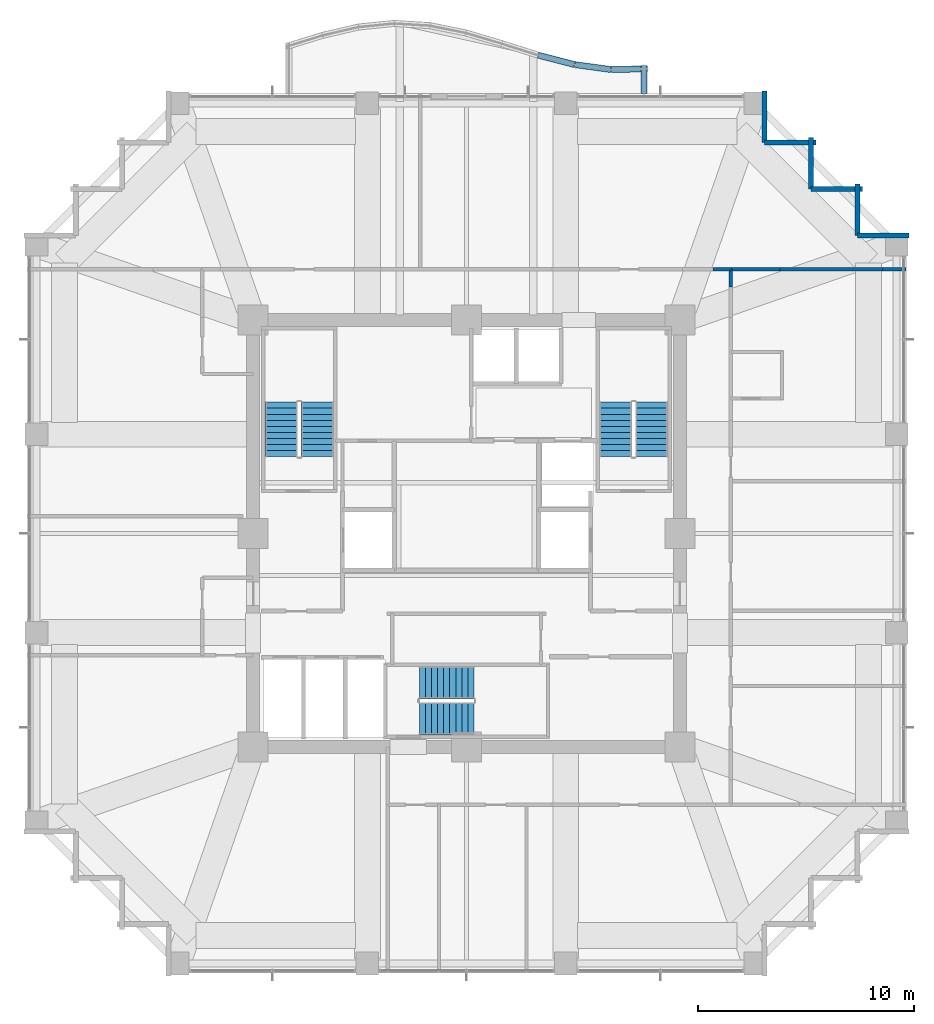
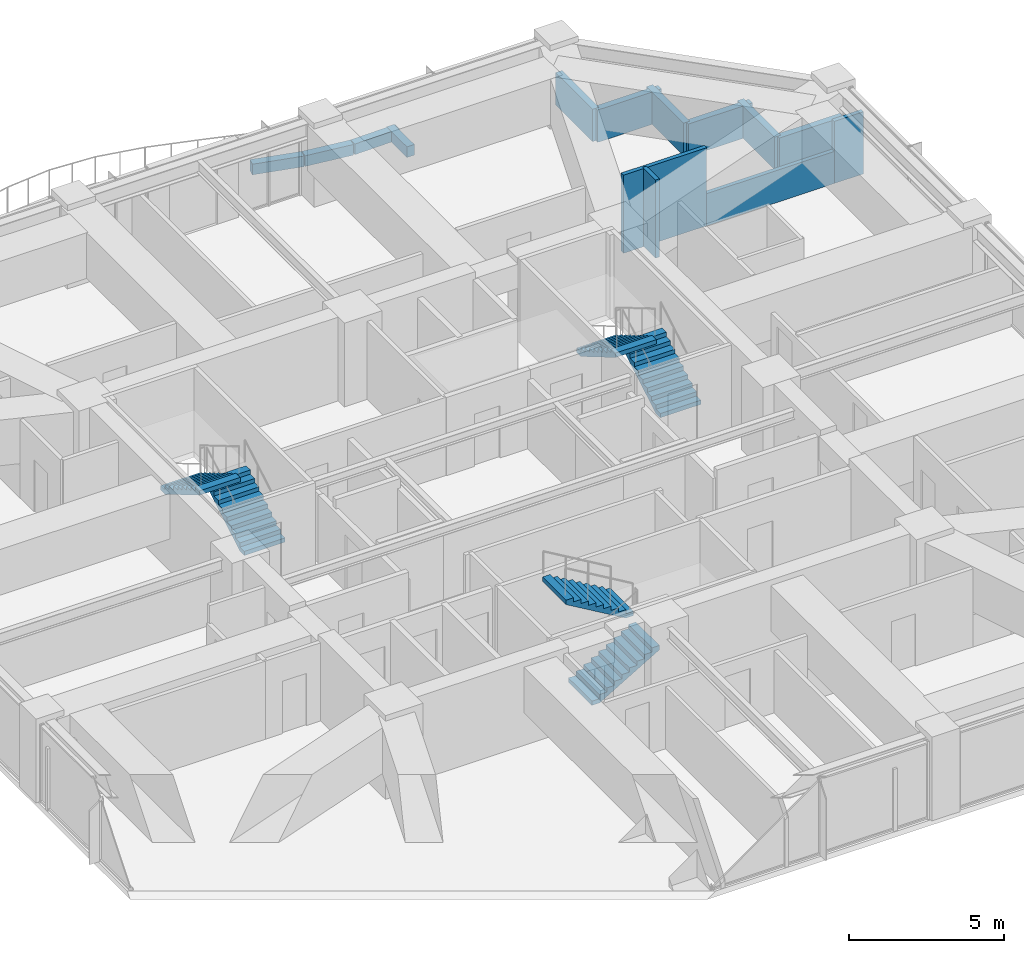
# One storey, part 33 of 34: 15 walls, 6 stair flights, 3 elements without a shape of their own.
"""IFC4 building model written with IfcOpenShell, lengths in metres."""

from ifc_helpers import new_model, si_unit, direction, frame, frame_2d, origin, place, context, subcontext, project, spatial, polyline, rectangle, outline, extrude, material, layer, layer_set, type_object, element, aggregate, save


model = new_model("IFC4")

# Units and contexts
model_context = context("Model", 3, precision=1e-05, world=origin(), true_north=direction((0.0, 1.0)))
body_context = subcontext(model_context, "Body", "Model", "MODEL_VIEW")
ifc_project = project(units=[si_unit("LENGTHUNIT", "METRE"), si_unit("AREAUNIT", "SQUARE_METRE"), si_unit("VOLUMEUNIT", "CUBIC_METRE"), si_unit("PLANEANGLEUNIT", "RADIAN"), si_unit("MASSUNIT", "GRAM", prefix="KILO")], contexts=[model_context])

# Site, building, storey
site_placement = place(None, origin())
site = spatial("IfcSite", under=ifc_project, at=site_placement, CompositionType="ELEMENT")
building_placement = place(site_placement, origin())
building = spatial("IfcBuilding", under=site, at=building_placement, Name="Kolvaren Belvedere", CompositionType="ELEMENT")
storey_placement = place(building_placement, frame((0.0, 0.0, 105.199951171875)))
storey = spatial("IfcBuildingStorey", under=building, at=storey_placement, Name="L30", CompositionType="ELEMENT", Elevation=105.199951171875)

# Walls
ifc_material_1 = material(Name="Gypsum fire-rated partition assembly", Category="gypsum")
ifc_layer_1 = layer(ifc_material_1, 0.14990234375)
ifc_layer_set_1 = layer_set([ifc_layer_1], Name="Gypsum fire-rated partition assembly")
wall_type_1 = type_object("IfcWallType", Name="WL-CORR-150", PredefinedType="PARTITIONING", material=ifc_layer_set_1)
for number, where, z_axis, x_axis, name in (
    (1, (11.43017578125, 12.260009765625, 0.0), (0.0, 0.0, 1.0), (1.0, 0.0, 0.0), "L30 North Corridor Wall"),
    (2, (12.260009765625, 11.43017578125, 0.0), (0.0, 0.0, 1.0), (0.0, 1.0, 0.0), "L30 East Corridor Wall"),
):
    element("IfcWall", number, at=place(storey_placement, frame(where, z_axis=z_axis, x_axis=x_axis)), inside=storey, type_object=wall_type_1, Name=name, PredefinedType="PARTITIONING", context=body_context, shape_type="SweptSolid", body=[
        extrude(rectangle(XDim=0.829833984375, YDim=0.14990234375, at=frame_2d((0.4150390625, 0.0))), origin(), (0.0, 0.0, 1.0), 3.080078125),
    ])
ifc_material_2 = material(Name="Insulated pale-metal facade wall assembly", Category="aluminium")
ifc_layer_2 = layer(ifc_material_2, 0.239990234375)
ifc_layer_set_2 = layer_set([ifc_layer_2], Name="Insulated pale-metal facade wall assembly")
wall_type_2 = type_object("IfcWallType", Name="WL-EXT-240", PredefinedType="STANDARD", material=ifc_layer_set_2)
wall_1_placement = place(storey_placement, frame((18.1298828125, 13.830078125, 0.0), z_axis=(0.0, 0.0, 1.0), x_axis=(1.0, 0.0, 0.0)))
element("IfcWall", 3, at=wall_1_placement, inside=storey, type_object=wall_type_2, Name="L30 Serrated Corner Facade Wall 9", PredefinedType="STANDARD", context=body_context, shape_type="SweptSolid", body=[
    extrude(rectangle(XDim=2.39013671875, YDim=0.239990234375, at=frame_2d((1.195068359375, 0.0))), origin(), (0.0, 0.0, 1.0), 1.275146484375),
])
wall_2_placement = place(storey_placement, frame((18.1298828125, 16.219970703125, 0.0), z_axis=(0.0, 0.0, 1.0), x_axis=(0.0, -1.0, 0.0)))
element("IfcWall", 4, at=wall_2_placement, inside=storey, type_object=wall_type_2, Name="L30 Serrated Corner Facade Wall 10", PredefinedType="STANDARD", context=body_context, shape_type="SweptSolid", body=[
    extrude(rectangle(XDim=2.389892578125, YDim=0.239990234375, at=frame_2d((1.19482421875, 0.0))), origin(), (0.0, 0.0, 1.0), 1.275146484375),
])
for number, where, z_axis, x_axis, name in (
    (5, (15.97998046875, 15.97998046875, 0.0), (0.0, 0.0, 1.0), (1.0, 0.0, 0.0), "L30 Serrated Corner Facade Wall 11"),
    (6, (15.97998046875, 18.3701171875, 0.0), (0.0, 0.0, 1.0), (0.0, -1.0, 0.0), "L30 Serrated Corner Facade Wall 12"),
):
    element("IfcWall", number, at=place(storey_placement, frame(where, z_axis=z_axis, x_axis=x_axis)), inside=storey, type_object=wall_type_2, Name=name, PredefinedType="STANDARD", context=body_context, shape_type="SweptSolid", body=[
        extrude(rectangle(XDim=2.39013671875, YDim=0.239990234375, at=frame_2d((1.195068359375, 0.0))), origin(), (0.0, 0.0, 1.0), 1.275146484375),
    ])
wall_3_placement = place(storey_placement, frame((13.830078125, 18.1298828125, 0.0), z_axis=(0.0, 0.0, 1.0), x_axis=(1.0, 0.0, 0.0)))
element("IfcWall", 7, at=wall_3_placement, inside=storey, type_object=wall_type_2, Name="L30 Serrated Corner Facade Wall 13", PredefinedType="STANDARD", context=body_context, shape_type="SweptSolid", body=[
    extrude(rectangle(XDim=2.389892578125, YDim=0.239990234375, at=frame_2d((1.19482421875, 0.0))), origin(), (0.0, 0.0, 1.0), 1.275146484375),
])
wall_4_placement = place(storey_placement, frame((13.830078125, 20.52001953125, 0.0), z_axis=(0.0, 0.0, 1.0), x_axis=(0.0, -1.0, 0.0)))
element("IfcWall", 8, at=wall_4_placement, inside=storey, type_object=wall_type_2, Name="L30 Serrated Corner Facade Wall 14", PredefinedType="STANDARD", context=body_context, shape_type="SweptSolid", body=[
    extrude(rectangle(XDim=2.39013671875, YDim=0.239990234375, at=frame_2d((1.195068359375, 0.0))), origin(), (0.0, 0.0, 1.0), 1.275146484375),
])
ifc_material_3 = material(Name="Gypsum acoustic partition assembly", Category="gypsum")
ifc_layer_3 = layer(ifc_material_3, 0.14990234375)
ifc_layer_set_3 = layer_set([ifc_layer_3], Name="Gypsum acoustic partition assembly")
wall_type_3 = type_object("IfcWallType", Name="WL-PART-150", PredefinedType="PARTITIONING", material=ifc_layer_set_3)
wall_5_placement = place(storey_placement, frame((12.260009765625, 12.260009765625, 0.0), z_axis=(0.0, 0.0, 1.0), x_axis=(1.0, 0.0, 0.0)))
element("IfcWall", 9, at=wall_5_placement, inside=storey, type_object=wall_type_3, Name="L30 Wing Divider PW-L30-QNE", PredefinedType="PARTITIONING", context=body_context, shape_type="SweptSolid", body=[
    extrude(rectangle(XDim=2.27587890625, YDim=0.14990234375, at=frame_2d((1.137939453125, 0.0))), origin(), (0.0, 0.0, 1.0), 3.080078125),
])
wall_6_placement = place(storey_placement, frame((14.535888671875, 12.260009765625, 0.0), z_axis=(0.0, 0.0, 1.0), x_axis=(1.0, 0.0, 0.0)))
element("IfcWall", 10, at=wall_6_placement, inside=storey, type_object=wall_type_3, Name="L30 Wing Divider PW-L30-QNE", PredefinedType="PARTITIONING", context=body_context, shape_type="SweptSolid", body=[
    extrude(rectangle(XDim=4.756103515625, YDim=0.14990234375, at=frame_2d((2.3779296875, 0.0))), origin(), (0.0, 0.0, 1.0), 1.26513671875),
])
wall_7_placement = place(storey_placement, frame((19.2919921875, 12.260009765625, 0.0), z_axis=(0.0, 0.0, 1.0), x_axis=(1.0, 0.0, 0.0)))
element("IfcWall", 11, at=wall_7_placement, inside=storey, type_object=wall_type_3, Name="L30 Wing Divider PW-L30-QNE", PredefinedType="PARTITIONING", context=body_context, shape_type="SweptSolid", body=[
    extrude(rectangle(XDim=1.087890625, YDim=0.14990234375, at=frame_2d((0.5439453125, 0.0))), origin(), (0.0, 0.0, 1.0), 2.448974609375),
])
ifc_material_4 = material(Name="Precast concrete C40/50", Category="concrete")
ifc_layer_4 = layer(ifc_material_4, 0.300048828125)
ifc_layer_set_4 = layer_set([ifc_layer_4], Name="Precast concrete C40/50")
wall_type_4 = type_object("IfcWallType", Name="WL-PLANTER-300", PredefinedType="PARAPET", material=ifc_layer_set_4)
wall_8_placement = place(storey_placement, frame((8.239990234375, 20.39990234375, -0.0400390625), z_axis=(0.0, 0.0, 1.0), x_axis=(0.0, 1.0, 0.0)))
element("IfcWall", 12, at=wall_8_placement, inside=storey, type_object=wall_type_4, Name="L30 Precast Structural Planter Wall BAL-N-11", PredefinedType="PARAPET", context=body_context, shape_type="SweptSolid", body=[
    extrude(rectangle(XDim=1.31298828125, YDim=0.280029296875, at=frame_2d((0.656494140625, 0.0))), origin(), (0.0, 0.0, 1.0), 0.420166015625),
])
wall_9_placement = place(storey_placement, frame((8.4033203125, 21.552978515625, -0.0400390625), z_axis=(0.0, 0.0, 1.0), x_axis=(-0.99979609052, -0.020193498486, 0.0)))
element("IfcWall", 13, at=wall_9_placement, inside=storey, type_object=wall_type_4, Name="L30 Precast Structural Planter Wall BAL-N-12", PredefinedType="PARAPET", context=body_context, shape_type="SweptSolid", body=[
    extrude(rectangle(XDim=1.680419921875, YDim=0.280029296875, at=frame_2d((0.84033203125, 0.0))), origin(), (0.0, 0.0, 1.0), 0.420166015625),
])
wall_10_placement = place(storey_placement, frame((6.698486328125, 21.5205078125, -0.0400390625), z_axis=(0.0, 0.0, 1.0), x_axis=(-0.990858183042, 0.134907602079, 0.0)))
element("IfcWall", 14, at=wall_10_placement, inside=storey, type_object=wall_type_4, Name="L30 Precast Structural Planter Wall BAL-N-13", PredefinedType="PARAPET", context=body_context, shape_type="SweptSolid", body=[
    extrude(rectangle(XDim=1.695556640625, YDim=0.280029296875, at=frame_2d((0.84765625, 0.0))), origin(), (0.0, 0.0, 1.0), 0.420166015625),
])
wall_11_placement = place(storey_placement, frame((5.0, 21.7529296875, -0.0400390625), z_axis=(0.0, 0.0, 1.0), x_axis=(-0.968141031826, 0.250405556038, 0.0)))
element("IfcWall", 15, at=wall_11_placement, inside=storey, type_object=wall_type_4, Name="L30 Precast Structural Planter Wall BAL-N-14", PredefinedType="PARAPET", context=body_context, shape_type="SweptSolid", body=[
    extrude(rectangle(XDim=1.7353515625, YDim=0.280029296875, at=frame_2d((0.86767578125, 0.0))), origin(), (0.0, 0.0, 1.0), 0.420166015625),
])

# Stair, stair flights
ifc_material_5 = material(Name="Concrete C50/60", Category="concrete")
stair_type = type_object("IfcStairType", Name="ST-CORE-1520", PredefinedType="HALF_TURN_STAIR", material=ifc_material_5)
stair_1_placement = place(storey_placement, origin())
stair_1 = element("IfcStair", 16, at=stair_1_placement, inside=storey, type_object=stair_type, Name="L30 Protected Exit Stair ST-1", PredefinedType="HALF_TURN_STAIR")
ifc_material_6 = material(Name="Concrete C50/60", Category="concrete")
stair_flight_type = type_object("IfcStairFlightType", Name="SF-STR-1520", PredefinedType="STRAIGHT", material=ifc_material_6)
stair_flight_1_placement = place(storey_placement, frame((-6.919921875, 3.570068359375, 0.0), z_axis=(0.0, 0.0, 1.0), x_axis=(0.0, 1.0, 0.0)))
stair_flight_1 = element("IfcStairFlight", 17, at=stair_flight_1_placement, type_object=stair_flight_type, Name="ST-1 flight 1", NumberOfRisers=10, NumberOfTreads=9, PredefinedType="STRAIGHT", RiserHeight=0.165, TreadLength=0.28, context=body_context, shape_type="SweptSolid", body=[
    extrude(outline(polyline([(0.0, 0.0), (0.0, 0.1650390625), (0.280029296875, 0.1650390625), (0.280029296875, 0.330078125), (0.56005859375, 0.330078125), (0.56005859375, 0.4951171875), (0.840087890625, 0.4951171875), (0.840087890625, 0.659912109375), (1.1201171875, 0.659912109375), (1.1201171875, 0.824951171875), (1.39990234375, 0.824951171875), (1.39990234375, 0.989990234375), (1.679931640625, 0.989990234375), (1.679931640625, 1.155029296875), (1.9599609375, 1.155029296875), (1.9599609375, 1.320068359375), (2.239990234375, 1.320068359375), (2.239990234375, 1.485107421875), (2.52001953125, 1.485107421875), (2.52001953125, 1.64990234375), (2.52001953125, 1.31103515625), (0.295166015625, 0.0), (0.0, 0.0)])), frame((0.0, 0.760009765625, 0.0), z_axis=(0.0, -1.0, 0.0), x_axis=(1.0, 0.0, 0.0)), (0.0, 0.0, 1.0), 1.52001953125),
])
stair_flight_2_placement = place(storey_placement, frame((-8.590087890625, 6.090087890625, 1.650146484375), z_axis=(0.0, 0.0, 1.0), x_axis=(0.0, -1.0, 0.0)))
stair_flight_2 = element("IfcStairFlight", 18, at=stair_flight_2_placement, type_object=stair_flight_type, Name="ST-1 flight 2", NumberOfRisers=10, NumberOfTreads=9, PredefinedType="STRAIGHT", RiserHeight=0.165, TreadLength=0.28, context=body_context, shape_type="SweptSolid", body=[
    extrude(outline(polyline([(0.0, 0.0), (0.0, 0.1650390625), (0.280029296875, 0.1650390625), (0.280029296875, 0.330078125), (0.56005859375, 0.330078125), (0.56005859375, 0.4951171875), (0.840087890625, 0.4951171875), (0.840087890625, 0.659912109375), (1.1201171875, 0.659912109375), (1.1201171875, 0.824951171875), (1.39990234375, 0.824951171875), (1.39990234375, 0.989990234375), (1.679931640625, 0.989990234375), (1.679931640625, 1.155029296875), (1.9599609375, 1.155029296875), (1.9599609375, 1.320068359375), (2.239990234375, 1.320068359375), (2.239990234375, 1.485107421875), (2.52001953125, 1.485107421875), (2.52001953125, 1.64990234375), (2.52001953125, 1.31103515625), (0.295166015625, 0.0), (0.0, 0.0)])), frame((0.0, 0.760009765625, 0.0), z_axis=(0.0, -1.0, 0.0), x_axis=(1.0, 0.0, 0.0)), (0.0, 0.0, 1.0), 1.52001953125),
])
aggregate(stair_1, [stair_flight_1, stair_flight_2])

stair_2_placement = place(storey_placement, origin())
stair_2 = element("IfcStair", 19, at=stair_2_placement, inside=storey, type_object=stair_type, Name="L30 Protected Exit Stair ST-2", PredefinedType="HALF_TURN_STAIR")
stair_flight_3_placement = place(storey_placement, frame((8.590087890625, 3.570068359375, 0.0), z_axis=(0.0, 0.0, 1.0), x_axis=(0.0, 1.0, 0.0)))
stair_flight_3 = element("IfcStairFlight", 20, at=stair_flight_3_placement, type_object=stair_flight_type, Name="ST-2 flight 1", NumberOfRisers=10, NumberOfTreads=9, PredefinedType="STRAIGHT", RiserHeight=0.165, TreadLength=0.28, context=body_context, shape_type="SweptSolid", body=[
    extrude(outline(polyline([(0.0, 0.0), (0.0, 0.1650390625), (0.280029296875, 0.1650390625), (0.280029296875, 0.330078125), (0.56005859375, 0.330078125), (0.56005859375, 0.4951171875), (0.840087890625, 0.4951171875), (0.840087890625, 0.659912109375), (1.1201171875, 0.659912109375), (1.1201171875, 0.824951171875), (1.39990234375, 0.824951171875), (1.39990234375, 0.989990234375), (1.679931640625, 0.989990234375), (1.679931640625, 1.155029296875), (1.9599609375, 1.155029296875), (1.9599609375, 1.320068359375), (2.239990234375, 1.320068359375), (2.239990234375, 1.485107421875), (2.52001953125, 1.485107421875), (2.52001953125, 1.64990234375), (2.52001953125, 1.31103515625), (0.295166015625, 0.0), (0.0, 0.0)])), frame((0.0, 0.760009765625, 0.0), z_axis=(0.0, -1.0, 0.0), x_axis=(1.0, 0.0, 0.0)), (0.0, 0.0, 1.0), 1.52001953125),
])
stair_flight_4_placement = place(storey_placement, frame((6.919921875, 6.090087890625, 1.650146484375), z_axis=(0.0, 0.0, 1.0), x_axis=(0.0, -1.0, 0.0)))
stair_flight_4 = element("IfcStairFlight", 21, at=stair_flight_4_placement, type_object=stair_flight_type, Name="ST-2 flight 2", NumberOfRisers=10, NumberOfTreads=9, PredefinedType="STRAIGHT", RiserHeight=0.165, TreadLength=0.28, context=body_context, shape_type="SweptSolid", body=[
    extrude(outline(polyline([(0.0, 0.0), (0.0, 0.1650390625), (0.280029296875, 0.1650390625), (0.280029296875, 0.330078125), (0.56005859375, 0.330078125), (0.56005859375, 0.4951171875), (0.840087890625, 0.4951171875), (0.840087890625, 0.659912109375), (1.1201171875, 0.659912109375), (1.1201171875, 0.824951171875), (1.39990234375, 0.824951171875), (1.39990234375, 0.989990234375), (1.679931640625, 0.989990234375), (1.679931640625, 1.155029296875), (1.9599609375, 1.155029296875), (1.9599609375, 1.320068359375), (2.239990234375, 1.320068359375), (2.239990234375, 1.485107421875), (2.52001953125, 1.485107421875), (2.52001953125, 1.64990234375), (2.52001953125, 1.31103515625), (0.295166015625, 0.0), (0.0, 0.0)])), frame((0.0, 0.760009765625, 0.0), z_axis=(0.0, -1.0, 0.0), x_axis=(1.0, 0.0, 0.0)), (0.0, 0.0, 1.0), 1.52001953125),
])
aggregate(stair_2, [stair_flight_3, stair_flight_4])

stair_3_placement = place(storey_placement, origin())
stair_3 = element("IfcStair", 22, at=stair_3_placement, inside=storey, type_object=stair_type, Name="L30 Protected Exit Stair ST-3", PredefinedType="HALF_TURN_STAIR")
stair_flight_5_placement = place(storey_placement, frame((-2.179931640625, -8.590087890625, 0.0), z_axis=(0.0, 0.0, 1.0), x_axis=(1.0, 0.0, 0.0)))
stair_flight_5 = element("IfcStairFlight", 23, at=stair_flight_5_placement, type_object=stair_flight_type, Name="ST-3 flight 1", NumberOfRisers=10, NumberOfTreads=9, PredefinedType="STRAIGHT", RiserHeight=0.165, TreadLength=0.28, context=body_context, shape_type="SweptSolid", body=[
    extrude(outline(polyline([(0.0, 0.0), (0.0, 0.1650390625), (0.280029296875, 0.1650390625), (0.280029296875, 0.330078125), (0.56005859375, 0.330078125), (0.56005859375, 0.4951171875), (0.840087890625, 0.4951171875), (0.840087890625, 0.659912109375), (1.1201171875, 0.659912109375), (1.1201171875, 0.824951171875), (1.39990234375, 0.824951171875), (1.39990234375, 0.989990234375), (1.679931640625, 0.989990234375), (1.679931640625, 1.155029296875), (1.9599609375, 1.155029296875), (1.9599609375, 1.320068359375), (2.239990234375, 1.320068359375), (2.239990234375, 1.485107421875), (2.52001953125, 1.485107421875), (2.52001953125, 1.64990234375), (2.52001953125, 1.31103515625), (0.295166015625, 0.0), (0.0, 0.0)])), frame((0.0, 0.760009765625, 0.0), z_axis=(0.0, -1.0, 0.0), x_axis=(1.0, 0.0, 0.0)), (0.0, 0.0, 1.0), 1.52001953125),
])
stair_flight_6_placement = place(storey_placement, frame((0.340087890625, -6.919921875, 1.650146484375), z_axis=(0.0, 0.0, 1.0), x_axis=(-1.0, 0.0, 0.0)))
stair_flight_6 = element("IfcStairFlight", 24, at=stair_flight_6_placement, type_object=stair_flight_type, Name="ST-3 flight 2", NumberOfRisers=10, NumberOfTreads=9, PredefinedType="STRAIGHT", RiserHeight=0.165, TreadLength=0.28, context=body_context, shape_type="SweptSolid", body=[
    extrude(outline(polyline([(0.0, 0.0), (0.0, 0.1650390625), (0.280029296875, 0.1650390625), (0.280029296875, 0.330078125), (0.56005859375, 0.330078125), (0.56005859375, 0.4951171875), (0.840087890625, 0.4951171875), (0.840087890625, 0.659912109375), (1.1201171875, 0.659912109375), (1.1201171875, 0.824951171875), (1.39990234375, 0.824951171875), (1.39990234375, 0.989990234375), (1.679931640625, 0.989990234375), (1.679931640625, 1.155029296875), (1.9599609375, 1.155029296875), (1.9599609375, 1.320068359375), (2.239990234375, 1.320068359375), (2.239990234375, 1.485107421875), (2.52001953125, 1.485107421875), (2.52001953125, 1.64990234375), (2.52001953125, 1.31103515625), (0.295166015625, 0.0), (0.0, 0.0)])), frame((0.0, 0.760009765625, 0.0), z_axis=(0.0, -1.0, 0.0), x_axis=(1.0, 0.0, 0.0)), (0.0, 0.0, 1.0), 1.52001953125),
])
aggregate(stair_3, [stair_flight_5, stair_flight_6])

save(model, "model.ifc")
